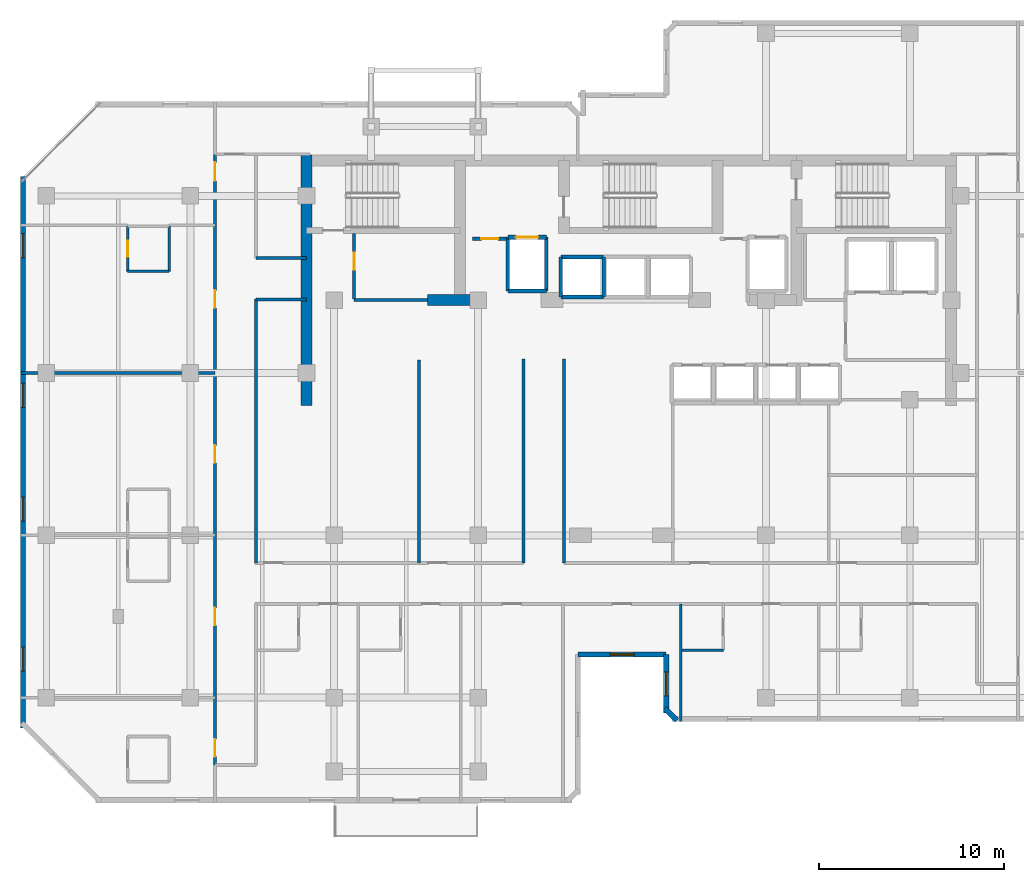
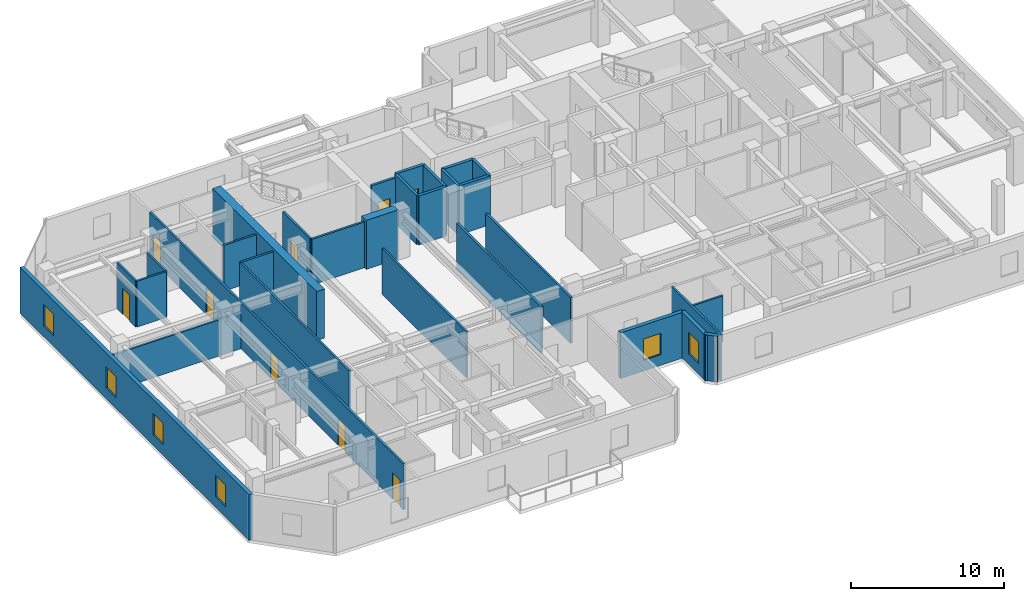
# One storey, part 5 of 11: 30 walls, 9 doors, 6 windows, 15 openings.
"""IFC4 building model written with IfcOpenShell, lengths in metres."""

from ifc_helpers import new_model, si_unit, direction, frame, frame_2d, origin, place, context, subcontext, project, spatial, rectangle, extrude, material, layer, layer_set, type_object, element, fill, save


model = new_model("IFC4")

# Units and contexts
model_context = context("Model", 3, precision=1e-05, world=origin(), true_north=direction((0.0, 1.0)))
body_context = subcontext(model_context, "Body", "Model", "MODEL_VIEW")
ifc_project = project(units=[si_unit("LENGTHUNIT", "METRE"), si_unit("AREAUNIT", "SQUARE_METRE"), si_unit("VOLUMEUNIT", "CUBIC_METRE"), si_unit("PLANEANGLEUNIT", "RADIAN"), si_unit("MASSUNIT", "GRAM", prefix="KILO")], contexts=[model_context])

# Site, building, storey
site_placement = place(None, origin())
site = spatial("IfcSite", under=ifc_project, at=site_placement, CompositionType="ELEMENT")
building_placement = place(site_placement, origin())
building = spatial("IfcBuilding", under=site, at=building_placement, Name="Kestravale Grand Hotel", CompositionType="ELEMENT")
storey_placement = place(building_placement, frame((0.0, 0.0, 208.5)))
storey = spatial("IfcBuildingStorey", under=building, at=storey_placement, Name="L52", CompositionType="ELEMENT", Elevation=208.5)

# Walls
ifc_material_1 = material(Name="Concrete f'c 50 MPa", Category="concrete")
ifc_layer_1 = layer(ifc_material_1, 0.60009765625)
ifc_layer_set_1 = layer_set([ifc_layer_1], Name="EW-CORE-600")
wall_type_1 = type_object("IfcWallType", Name="EW-CORE-600", PredefinedType="SHEAR", material=ifc_layer_set_1)
wall_1_placement = place(storey_placement, frame((21.89990234375, 27.050048828125, 0.0), z_axis=(0.0, 0.0, 1.0), x_axis=(0.0, 1.0, 0.0)))
element("IfcWall", 1, at=wall_1_placement, inside=storey, type_object=wall_type_1, Name="L52 core shear wall W1", PredefinedType="SHEAR", context=body_context, shape_type="SweptSolid", body=[
    extrude(rectangle(XDim=13.570068359375, YDim=0.60009765625, at=frame_2d((6.78515625, 0.0))), origin(), (0.0, 0.0, 1.0), 3.89990234375),
])
wall_2_placement = place(storey_placement, frame((28.449951171875, 32.75, 0.0), z_axis=(0.0, 0.0, 1.0), x_axis=(1.0, 0.0, 0.0)))
element("IfcWall", 2, at=wall_2_placement, inside=storey, type_object=wall_type_1, Name="L52 core shear wall S1", PredefinedType="SHEAR", context=body_context, shape_type="SweptSolid", body=[
    extrude(rectangle(XDim=2.400146484375, YDim=0.60009765625, at=frame_2d((1.2001953125, 0.0))), origin(), (0.0, 0.0, 1.0), 3.89990234375),
])

# Wall, opening, window
ifc_material_2 = material(Name="Precast concrete f'c 45 MPa", Category="concrete")
ifc_layer_2 = layer(ifc_material_2, 0.280029296875)
ifc_layer_set_2 = layer_set([ifc_layer_2], Name="EW-PREC-280")
wall_type_2 = type_object("IfcWallType", Name="EW-PREC-280", PredefinedType="SOLIDWALL", material=ifc_layer_set_2)
wall_3_placement = place(storey_placement, frame((36.610107421875, 13.5400390625, 0.0), z_axis=(0.0, 0.0, 1.0), x_axis=(1.0, 0.0, 0.0)))
wall_3 = element("IfcWall", 3, at=wall_3_placement, inside=storey, type_object=wall_type_2, Name="L52 fluted precast facade wall 4", PredefinedType="SOLIDWALL", context=body_context, shape_type="SweptSolid", body=[
    extrude(rectangle(XDim=4.77978515625, YDim=0.280029296875, at=frame_2d((2.389892578125, 0.0))), origin(), (0.0, 0.0, 1.0), 3.64990234375),
])
opening_1_placement = place(wall_3_placement, frame((1.739990234375, 0.0, 0.85009765625)))
opening_1 = element("IfcOpeningElement", 4, at=opening_1_placement, cuts=wall_3, Name="Opening W-GUEST-1300", PredefinedType="OPENING", context=body_context, shape_type="SweptSolid", body=[
    extrude(rectangle(XDim=1.300048828125, YDim=1.699951171875, at=frame_2d((0.64990234375, 0.85009765625))), frame((0.0, 0.14990234375, 0.0), z_axis=(0.0, -1.0, 0.0), x_axis=(1.0, 0.0, 0.0)), (0.0, 0.0, 1.0), 0.300048828125),
])
ifc_material_3 = material(Name="Insulated low-E double glazing in aluminium frame", Category="aluminium")
window_type = type_object("IfcWindowType", Name="W-GUEST-1300", PartitioningType="SINGLE_PANEL", PredefinedType="WINDOW", material=ifc_material_3)
window_1_placement = place(opening_1_placement, origin())
window_1 = element("IfcWindow", 5, at=window_1_placement, inside=storey, type_object=window_type, Name="L52 exterior window 4.1", OverallHeight=1.699951171875, OverallWidth=1.300048828125, PartitioningType="SINGLE_PANEL", PredefinedType="WINDOW", context=body_context, shape_type="SweptSolid", body=[
    extrude(rectangle(XDim=1.300048828125, YDim=1.699951171875, at=frame_2d((0.64990234375, 0.85009765625))), frame((0.0, 0.030029296875, 0.0), z_axis=(0.0, -1.0, 0.0), x_axis=(1.0, 0.0, 0.0)), (0.0, 0.0, 1.0), 0.06005859375),
])
fill(opening_1, window_1)

wall_4_placement = place(storey_placement, frame((41.389892578125, 13.5400390625, 0.0), z_axis=(0.0, 0.0, 1.0), x_axis=(0.0, -1.0, 0.0)))
wall_4 = element("IfcWall", 6, at=wall_4_placement, inside=storey, type_object=wall_type_2, Name="L52 fluted precast facade wall 5", PredefinedType="SOLIDWALL", context=body_context, shape_type="SweptSolid", body=[
    extrude(rectangle(XDim=3.179931640625, YDim=0.280029296875, at=frame_2d((1.58984375, 0.0))), origin(), (0.0, 0.0, 1.0), 3.64990234375),
])
opening_2_placement = place(wall_4_placement, frame((0.93994140625, 0.0, 0.85009765625)))
opening_2 = element("IfcOpeningElement", 7, at=opening_2_placement, cuts=wall_4, Name="Opening W-GUEST-1300", PredefinedType="OPENING", context=body_context, shape_type="SweptSolid", body=[
    extrude(rectangle(XDim=1.300048828125, YDim=1.699951171875, at=frame_2d((0.64990234375, 0.85009765625))), frame((0.0, 0.14990234375, 0.0), z_axis=(0.0, -1.0, 0.0), x_axis=(1.0, 0.0, 0.0)), (0.0, 0.0, 1.0), 0.300048828125),
])
window_2_placement = place(opening_2_placement, origin())
window_2 = element("IfcWindow", 8, at=window_2_placement, inside=storey, type_object=window_type, Name="L52 exterior window 5.1", OverallHeight=1.699951171875, OverallWidth=1.300048828125, PartitioningType="SINGLE_PANEL", PredefinedType="WINDOW", context=body_context, shape_type="SweptSolid", body=[
    extrude(rectangle(XDim=1.300048828125, YDim=1.699951171875, at=frame_2d((0.64990234375, 0.85009765625))), frame((0.0, 0.030029296875, 0.0), z_axis=(0.0, -1.0, 0.0), x_axis=(1.0, 0.0, 0.0)), (0.0, 0.0, 1.0), 0.06005859375),
])
fill(opening_2, window_2)

# Wall
wall_5_placement = place(storey_placement, frame((41.32080078125, 10.627197265625, 0.0), z_axis=(0.0, 0.0, 1.0), x_axis=(0.707106781187, -0.707106781187, 0.0)))
element("IfcWall", 9, at=wall_5_placement, inside=storey, type_object=wall_type_2, Name="L52 fluted precast facade wall 6", PredefinedType="SOLIDWALL", context=body_context, shape_type="SweptSolid", body=[
    extrude(rectangle(XDim=0.928466796875, YDim=0.280029296875, at=frame_2d((0.46435546875, 0.0))), origin(), (0.0, 0.0, 1.0), 3.64990234375),
])

# Wall, openings, windows
wall_6_placement = place(storey_placement, frame((6.5400390625, 39.43994140625, 0.0), z_axis=(0.0, 0.0, 1.0), x_axis=(0.0, -1.0, 0.0)))
wall_6 = element("IfcWall", 10, at=wall_6_placement, inside=storey, type_object=wall_type_2, Name="L52 fluted precast facade wall 19", PredefinedType="SOLIDWALL", context=body_context, shape_type="SweptSolid", body=[
    extrude(rectangle(XDim=29.8798828125, YDim=0.280029296875, at=frame_2d((14.93994140625, 0.0))), origin(), (0.0, 0.0, 1.0), 3.64990234375),
])
opening_3_placement = place(wall_6_placement, frame((3.0849609375, 0.0, 0.85009765625)))
opening_3 = element("IfcOpeningElement", 11, at=opening_3_placement, cuts=wall_6, Name="Opening W-GUEST-1300", PredefinedType="OPENING", context=body_context, shape_type="SweptSolid", body=[
    extrude(rectangle(XDim=1.300048828125, YDim=1.699951171875, at=frame_2d((0.64990234375, 0.85009765625))), frame((0.0, 0.14990234375, 0.0), z_axis=(0.0, -1.0, 0.0), x_axis=(1.0, 0.0, 0.0)), (0.0, 0.0, 1.0), 0.300048828125),
])
opening_4_placement = place(wall_6_placement, frame((11.205078125, 0.0, 0.85009765625)))
opening_4 = element("IfcOpeningElement", 12, at=opening_4_placement, cuts=wall_6, Name="Opening W-GUEST-1300", PredefinedType="OPENING", context=body_context, shape_type="SweptSolid", body=[
    extrude(rectangle(XDim=1.300048828125, YDim=1.699951171875, at=frame_2d((0.64990234375, 0.85009765625))), frame((0.0, 0.14990234375, 0.0), z_axis=(0.0, -1.0, 0.0), x_axis=(1.0, 0.0, 0.0)), (0.0, 0.0, 1.0), 0.300048828125),
])
opening_5_placement = place(wall_6_placement, frame((17.375, 0.0, 0.85009765625)))
opening_5 = element("IfcOpeningElement", 13, at=opening_5_placement, cuts=wall_6, Name="Opening W-GUEST-1300", PredefinedType="OPENING", context=body_context, shape_type="SweptSolid", body=[
    extrude(rectangle(XDim=1.300048828125, YDim=1.699951171875, at=frame_2d((0.64990234375, 0.85009765625))), frame((0.0, 0.14990234375, 0.0), z_axis=(0.0, -1.0, 0.0), x_axis=(1.0, 0.0, 0.0)), (0.0, 0.0, 1.0), 0.300048828125),
])
opening_6_placement = place(wall_6_placement, frame((25.4951171875, 0.0, 0.85009765625)))
opening_6 = element("IfcOpeningElement", 14, at=opening_6_placement, cuts=wall_6, Name="Opening W-GUEST-1300", PredefinedType="OPENING", context=body_context, shape_type="SweptSolid", body=[
    extrude(rectangle(XDim=1.300048828125, YDim=1.699951171875, at=frame_2d((0.64990234375, 0.85009765625))), frame((0.0, 0.14990234375, 0.0), z_axis=(0.0, -1.0, 0.0), x_axis=(1.0, 0.0, 0.0)), (0.0, 0.0, 1.0), 0.300048828125),
])
window_3_placement = place(opening_3_placement, origin())
window_3 = element("IfcWindow", 15, at=window_3_placement, inside=storey, type_object=window_type, Name="L52 exterior window 19.1", OverallHeight=1.699951171875, OverallWidth=1.300048828125, PartitioningType="SINGLE_PANEL", PredefinedType="WINDOW", context=body_context, shape_type="SweptSolid", body=[
    extrude(rectangle(XDim=1.300048828125, YDim=1.699951171875, at=frame_2d((0.64990234375, 0.85009765625))), frame((0.0, 0.030029296875, 0.0), z_axis=(0.0, -1.0, 0.0), x_axis=(1.0, 0.0, 0.0)), (0.0, 0.0, 1.0), 0.06005859375),
])
fill(opening_3, window_3)
window_4_placement = place(opening_4_placement, origin())
window_4 = element("IfcWindow", 16, at=window_4_placement, inside=storey, type_object=window_type, Name="L52 exterior window 19.2", OverallHeight=1.699951171875, OverallWidth=1.300048828125, PartitioningType="SINGLE_PANEL", PredefinedType="WINDOW", context=body_context, shape_type="SweptSolid", body=[
    extrude(rectangle(XDim=1.300048828125, YDim=1.699951171875, at=frame_2d((0.64990234375, 0.85009765625))), frame((0.0, 0.030029296875, 0.0), z_axis=(0.0, -1.0, 0.0), x_axis=(1.0, 0.0, 0.0)), (0.0, 0.0, 1.0), 0.06005859375),
])
fill(opening_4, window_4)
window_5_placement = place(opening_5_placement, origin())
window_5 = element("IfcWindow", 17, at=window_5_placement, inside=storey, type_object=window_type, Name="L52 exterior window 19.3", OverallHeight=1.699951171875, OverallWidth=1.300048828125, PartitioningType="SINGLE_PANEL", PredefinedType="WINDOW", context=body_context, shape_type="SweptSolid", body=[
    extrude(rectangle(XDim=1.300048828125, YDim=1.699951171875, at=frame_2d((0.64990234375, 0.85009765625))), frame((0.0, 0.030029296875, 0.0), z_axis=(0.0, -1.0, 0.0), x_axis=(1.0, 0.0, 0.0)), (0.0, 0.0, 1.0), 0.06005859375),
])
fill(opening_5, window_5)
window_6_placement = place(opening_6_placement, origin())
window_6 = element("IfcWindow", 18, at=window_6_placement, inside=storey, type_object=window_type, Name="L52 exterior window 19.4", OverallHeight=1.699951171875, OverallWidth=1.300048828125, PartitioningType="SINGLE_PANEL", PredefinedType="WINDOW", context=body_context, shape_type="SweptSolid", body=[
    extrude(rectangle(XDim=1.300048828125, YDim=1.699951171875, at=frame_2d((0.64990234375, 0.85009765625))), frame((0.0, 0.030029296875, 0.0), z_axis=(0.0, -1.0, 0.0), x_axis=(1.0, 0.0, 0.0)), (0.0, 0.0, 1.0), 0.06005859375),
])
fill(opening_6, window_6)

# Wall, opening, door
ifc_material_4 = material(Name="Acoustic fire-rated gypsum board partition", Category="other")
ifc_layer_3 = layer(ifc_material_4, 0.159912109375)
ifc_layer_set_3 = layer_set([ifc_layer_3], Name="IW-CORR-160")
wall_type_3 = type_object("IfcWallType", Name="IW-CORR-160", PredefinedType="PARTITIONING", material=ifc_layer_set_3)
wall_7_placement = place(storey_placement, frame((24.47998046875, 32.800048828125, 0.0), z_axis=(0.0, 0.0, 1.0), x_axis=(0.0, 1.0, 0.0)))
wall_7 = element("IfcWall", 19, at=wall_7_placement, inside=storey, type_object=wall_type_3, Name="L52 west core vestibule wall", PredefinedType="PARTITIONING", context=body_context, shape_type="SweptSolid", body=[
    extrude(rectangle(XDim=3.570068359375, YDim=0.159912109375, at=frame_2d((1.78515625, 0.0))), origin(), (0.0, 0.0, 1.0), 3.64990234375),
])
opening_7_placement = place(wall_7_placement, frame((1.603515625, 0.0, 0.0)))
opening_7 = element("IfcOpeningElement", 20, at=opening_7_placement, cuts=wall_7, Name="Opening D-SH-900", PredefinedType="OPENING", context=body_context, shape_type="SweptSolid", body=[
    extrude(rectangle(XDim=0.89990234375, YDim=2.10009765625, at=frame_2d((0.449951171875, 1.050048828125))), frame((0.0, 0.08984375, 0.0), z_axis=(0.0, -1.0, 0.0), x_axis=(1.0, 0.0, 0.0)), (0.0, 0.0, 1.0), 0.179931640625),
])
ifc_material_5 = material(Name="Galvanised 90-minute shaft and service fire door", Category="steel")
door_type_1 = type_object("IfcDoorType", Name="D-SH-900", OperationType="NOTDEFINED", PredefinedType="DOOR", material=ifc_material_5)
door_1_placement = place(opening_7_placement, origin())
door_1 = element("IfcDoor", 21, at=door_1_placement, inside=storey, type_object=door_type_1, Name="D-L52-HK", OperationType="SINGLE_SWING_RIGHT", OverallHeight=2.10009765625, OverallWidth=0.89990234375, PredefinedType="DOOR", context=body_context, shape_type="SweptSolid", body=[
    extrude(rectangle(XDim=0.89990234375, YDim=2.10009765625, at=frame_2d((0.449951171875, 1.050048828125))), frame((0.0, 0.02490234375, 0.0), z_axis=(0.0, -1.0, 0.0), x_axis=(1.0, 0.0, 0.0)), (0.0, 0.0, 1.0), 0.050048828125),
])
fill(opening_7, door_1)

# Walls
wall_8_placement = place(storey_placement, frame((24.47998046875, 32.75, 0.0), z_axis=(0.0, 0.0, 1.0), x_axis=(1.0, 0.0, 0.0)))
element("IfcWall", 22, at=wall_8_placement, inside=storey, type_object=wall_type_3, Name="W-L52-CWS", PredefinedType="PARTITIONING", context=body_context, shape_type="SweptSolid", body=[
    extrude(rectangle(XDim=3.969970703125, YDim=0.159912109375, at=frame_2d((1.98486328125, 0.0))), origin(), (0.0, 0.0, 1.0), 3.64990234375),
])
for number, where, z_axis, x_axis, name in (
    (23, (33.64990234375, 18.510009765625, 0.0), (0.0, 0.0, 1.0), (0.0, 1.0, 0.0), "W-L52-TRUNK-W"),
    (24, (35.85009765625, 18.510009765625, 0.0), (0.0, 0.0, 1.0), (0.0, 1.0, 0.0), "W-L52-TRUNK-E"),
):
    element("IfcWall", number, at=place(storey_placement, frame(where, z_axis=z_axis, x_axis=x_axis)), inside=storey, type_object=wall_type_3, Name=name, PredefinedType="PARTITIONING", context=body_context, shape_type="SweptSolid", body=[
        extrude(rectangle(XDim=11.0400390625, YDim=0.159912109375, at=frame_2d((5.52001953125, 0.0))), origin(), (0.0, 0.0, 1.0), 3.64990234375),
    ])

# Wall, openings, doors
wall_9_placement = place(storey_placement, frame((16.93994140625, 7.550048828125, 0.0), z_axis=(0.0, 0.0, 1.0), x_axis=(0.0, 1.0, 0.0)))
wall_9 = element("IfcWall", 25, at=wall_9_placement, inside=storey, type_object=wall_type_3, Name="W-L52-SW-W", PredefinedType="PARTITIONING", context=body_context, shape_type="SweptSolid", body=[
    extrude(rectangle(XDim=33.099853515625, YDim=0.159912109375, at=frame_2d((16.5498046875, 0.0))), origin(), (0.0, 0.0, 1.0), 3.64990234375),
])
opening_8_placement = place(wall_9_placement, frame((0.4599609375, 0.0, 0.0)))
opening_8 = element("IfcOpeningElement", 26, at=opening_8_placement, cuts=wall_9, Name="Opening D-GUEST-950", PredefinedType="OPENING", context=body_context, shape_type="SweptSolid", body=[
    extrude(rectangle(XDim=0.949951171875, YDim=2.10009765625, at=frame_2d((0.47509765625, 1.050048828125))), frame((0.0, 0.08984375, 0.0), z_axis=(0.0, -1.0, 0.0), x_axis=(1.0, 0.0, 0.0)), (0.0, 0.0, 1.0), 0.179931640625),
])
opening_9_placement = place(wall_9_placement, frame((7.574951171875, 0.0, 0.0)))
opening_9 = element("IfcOpeningElement", 27, at=opening_9_placement, cuts=wall_9, Name="Opening D-GUEST-950", PredefinedType="OPENING", context=body_context, shape_type="SweptSolid", body=[
    extrude(rectangle(XDim=0.949951171875, YDim=2.10009765625, at=frame_2d((0.47509765625, 1.050048828125))), frame((0.0, 0.08984375, 0.0), z_axis=(0.0, -1.0, 0.0), x_axis=(1.0, 0.0, 0.0)), (0.0, 0.0, 1.0), 0.179931640625),
])
opening_10_placement = place(wall_9_placement, frame((16.375, 0.0, 0.0)))
opening_10 = element("IfcOpeningElement", 28, at=opening_10_placement, cuts=wall_9, Name="Opening D-GUEST-950", PredefinedType="OPENING", context=body_context, shape_type="SweptSolid", body=[
    extrude(rectangle(XDim=0.949951171875, YDim=2.10009765625, at=frame_2d((0.47509765625, 1.050048828125))), frame((0.0, 0.08984375, 0.0), z_axis=(0.0, -1.0, 0.0), x_axis=(1.0, 0.0, 0.0)), (0.0, 0.0, 1.0), 0.179931640625),
])
opening_11_placement = place(wall_9_placement, frame((24.77490234375, 0.0, 0.0)))
opening_11 = element("IfcOpeningElement", 29, at=opening_11_placement, cuts=wall_9, Name="Opening D-GUEST-950", PredefinedType="OPENING", context=body_context, shape_type="SweptSolid", body=[
    extrude(rectangle(XDim=0.949951171875, YDim=2.10009765625, at=frame_2d((0.47509765625, 1.050048828125))), frame((0.0, 0.08984375, 0.0), z_axis=(0.0, -1.0, 0.0), x_axis=(1.0, 0.0, 0.0)), (0.0, 0.0, 1.0), 0.179931640625),
])
opening_12_placement = place(wall_9_placement, frame((31.659912109375, 0.0, 0.0)))
opening_12 = element("IfcOpeningElement", 30, at=opening_12_placement, cuts=wall_9, Name="Opening D-GUEST-1000", PredefinedType="OPENING", context=body_context, shape_type="SweptSolid", body=[
    extrude(rectangle(XDim=1.0, YDim=2.14990234375, at=frame_2d((0.5, 1.074951171875))), frame((0.0, 0.08984375, 0.0), z_axis=(0.0, -1.0, 0.0), x_axis=(1.0, 0.0, 0.0)), (0.0, 0.0, 1.0), 0.179931640625),
])
ifc_material_6 = material(Name="Accessible walnut veneer hotel entrance fire door", Category="wood")
door_type_2 = type_object("IfcDoorType", Name="D-GUEST-1000", OperationType="NOTDEFINED", PredefinedType="DOOR", material=ifc_material_6)
door_2_placement = place(opening_12_placement, origin())
door_2 = element("IfcDoor", 31, at=door_2_placement, inside=storey, type_object=door_type_2, Name="D-L52-AMWW", OperationType="SINGLE_SWING_RIGHT", OverallHeight=2.14990234375, OverallWidth=1.0, PredefinedType="DOOR", context=body_context, shape_type="SweptSolid", body=[
    extrude(rectangle(XDim=1.0, YDim=2.14990234375, at=frame_2d((0.5, 1.074951171875))), frame((0.0, 0.02490234375, 0.0), z_axis=(0.0, -1.0, 0.0), x_axis=(1.0, 0.0, 0.0)), (0.0, 0.0, 1.0), 0.050048828125),
])
fill(opening_12, door_2)
ifc_material_7 = material(Name="Walnut veneer hotel guestroom entrance fire door", Category="wood")
door_type_3 = type_object("IfcDoorType", Name="D-GUEST-950", OperationType="NOTDEFINED", PredefinedType="DOOR", material=ifc_material_7)
door_3_placement = place(opening_8_placement, origin())
door_3 = element("IfcDoor", 32, at=door_3_placement, inside=storey, type_object=door_type_3, Name="D-L52-U05-ENT", OperationType="SINGLE_SWING_LEFT", OverallHeight=2.10009765625, OverallWidth=0.949951171875, PredefinedType="DOOR", context=body_context, shape_type="SweptSolid", body=[
    extrude(rectangle(XDim=0.949951171875, YDim=2.10009765625, at=frame_2d((0.47509765625, 1.050048828125))), frame((0.0, 0.02490234375, 0.0), z_axis=(0.0, -1.0, 0.0), x_axis=(1.0, 0.0, 0.0)), (0.0, 0.0, 1.0), 0.050048828125),
])
fill(opening_8, door_3)
door_4_placement = place(opening_9_placement, origin())
door_4 = element("IfcDoor", 33, at=door_4_placement, inside=storey, type_object=door_type_3, Name="D-L52-U06-ENT", OperationType="SINGLE_SWING_LEFT", OverallHeight=2.10009765625, OverallWidth=0.949951171875, PredefinedType="DOOR", context=body_context, shape_type="SweptSolid", body=[
    extrude(rectangle(XDim=0.949951171875, YDim=2.10009765625, at=frame_2d((0.47509765625, 1.050048828125))), frame((0.0, 0.02490234375, 0.0), z_axis=(0.0, -1.0, 0.0), x_axis=(1.0, 0.0, 0.0)), (0.0, 0.0, 1.0), 0.050048828125),
])
fill(opening_9, door_4)
door_5_placement = place(opening_10_placement, origin())
door_5 = element("IfcDoor", 34, at=door_5_placement, inside=storey, type_object=door_type_3, Name="D-L52-U07-ENT", OperationType="SINGLE_SWING_LEFT", OverallHeight=2.10009765625, OverallWidth=0.949951171875, PredefinedType="DOOR", context=body_context, shape_type="SweptSolid", body=[
    extrude(rectangle(XDim=0.949951171875, YDim=2.10009765625, at=frame_2d((0.47509765625, 1.050048828125))), frame((0.0, 0.02490234375, 0.0), z_axis=(0.0, -1.0, 0.0), x_axis=(1.0, 0.0, 0.0)), (0.0, 0.0, 1.0), 0.050048828125),
])
fill(opening_10, door_5)
door_6_placement = place(opening_11_placement, origin())
door_6 = element("IfcDoor", 35, at=door_6_placement, inside=storey, type_object=door_type_3, Name="D-L52-U08-ENT", OperationType="SINGLE_SWING_LEFT", OverallHeight=2.10009765625, OverallWidth=0.949951171875, PredefinedType="DOOR", context=body_context, shape_type="SweptSolid", body=[
    extrude(rectangle(XDim=0.949951171875, YDim=2.10009765625, at=frame_2d((0.47509765625, 1.050048828125))), frame((0.0, 0.02490234375, 0.0), z_axis=(0.0, -1.0, 0.0), x_axis=(1.0, 0.0, 0.0)), (0.0, 0.0, 1.0), 0.050048828125),
])
fill(opening_11, door_6)

# Walls
for number, where, z_axis, x_axis, name in (
    (36, (19.159912109375, 35.02001953125, 0.0), (0.0, 0.0, 1.0), (1.0, 0.0, 0.0), "W-L52-SW-CN"),
    (37, (19.159912109375, 32.780029296875, 0.0), (0.0, 0.0, 1.0), (1.0, 0.0, 0.0), "W-L52-SW-CS"),
):
    element("IfcWall", number, at=place(storey_placement, frame(where, z_axis=z_axis, x_axis=x_axis)), inside=storey, type_object=wall_type_3, Name=name, PredefinedType="PARTITIONING", context=body_context, shape_type="SweptSolid", body=[
        extrude(rectangle(XDim=2.739990234375, YDim=0.159912109375, at=frame_2d((1.3701171875, 0.0))), origin(), (0.0, 0.0, 1.0), 3.64990234375),
    ])

# Wall, opening, door
ifc_material_8 = material(Name="Fire-rated gypsum board on steel studs with mineral wool", Category="steel")
ifc_layer_4 = layer(ifc_material_8, 0.179931640625)
ifc_layer_set_4 = layer_set([ifc_layer_4], Name="IW-FSAE-180")
wall_type_4 = type_object("IfcWallType", Name="IW-FSAE-180", PredefinedType="PARTITIONING", material=ifc_layer_set_4)
wall_10_placement = place(storey_placement, frame((30.89990234375, 36.080078125, 0.0), z_axis=(0.0, 0.0, 1.0), x_axis=(1.0, 0.0, 0.0)))
wall_10 = element("IfcWall", 38, at=wall_10_placement, inside=storey, type_object=wall_type_4, Name="L52 FSAE Lobby 1 smoke barrier", PredefinedType="PARTITIONING", context=body_context, shape_type="SweptSolid", body=[
    extrude(rectangle(XDim=1.85009765625, YDim=0.179931640625, at=frame_2d((0.925048828125, 0.0))), origin(), (0.0, 0.0, 1.0), 3.64990234375),
])
opening_13_placement = place(wall_10_placement, frame((0.47998046875, 0.0, 0.0)))
opening_13 = element("IfcOpeningElement", 39, at=opening_13_placement, cuts=wall_10, Name="Opening D-FSAE-1000", PredefinedType="OPENING", context=body_context, shape_type="SweptSolid", body=[
    extrude(rectangle(XDim=0.89990234375, YDim=2.14990234375, at=frame_2d((0.449951171875, 1.074951171875))), frame((0.0, 0.099853515625, 0.0), z_axis=(0.0, -1.0, 0.0), x_axis=(1.0, 0.0, 0.0)), (0.0, 0.0, 1.0), 0.199951171875),
])
ifc_material_9 = material(Name="Smoke-gasketed FSAE lobby fire door", Category="steel")
door_type_4 = type_object("IfcDoorType", Name="D-FSAE-1000", OperationType="NOTDEFINED", PredefinedType="DOOR", material=ifc_material_9)
door_7_placement = place(opening_13_placement, origin())
door_7 = element("IfcDoor", 40, at=door_7_placement, inside=storey, type_object=door_type_4, Name="L52 FSAE Lobby 1 fire door", OperationType="SINGLE_SWING_RIGHT", OverallHeight=2.14990234375, OverallWidth=0.89990234375, PredefinedType="DOOR", context=body_context, shape_type="SweptSolid", body=[
    extrude(rectangle(XDim=0.89990234375, YDim=2.14990234375, at=frame_2d((0.449951171875, 1.074951171875))), frame((0.0, 0.02490234375, 0.0), z_axis=(0.0, -1.0, 0.0), x_axis=(1.0, 0.0, 0.0)), (0.0, 0.0, 1.0), 0.050048828125),
])
fill(opening_13, door_7)

# Wall
ifc_material_10 = material(Name="Moisture-resistant tile-backer plumbing chase wall", Category="other")
ifc_layer_5 = layer(ifc_material_10, 0.139892578125)
ifc_layer_set_5 = layer_set([ifc_layer_5], Name="IW-PLB-140")
wall_type_5 = type_object("IfcWallType", Name="IW-PLB-140", PredefinedType="PLUMBINGWALL", material=ifc_layer_set_5)
wall_11_placement = place(storey_placement, frame((42.239990234375, 13.780029296875, 0.0), z_axis=(0.0, 0.0, 1.0), x_axis=(1.0, 0.0, 0.0)))
element("IfcWall", 41, at=wall_11_placement, inside=storey, type_object=wall_type_5, Name="W-L52-U03-BS", PredefinedType="PLUMBINGWALL", context=body_context, shape_type="SweptSolid", body=[
    extrude(rectangle(XDim=2.25, YDim=0.139892578125, at=frame_2d((1.125, 0.0))), origin(), (0.0, 0.0, 1.0), 3.64990234375),
])

# Wall, opening, door
wall_12_placement = place(storey_placement, frame((12.199951171875, 34.31005859375, 0.0), z_axis=(0.0, 0.0, 1.0), x_axis=(0.0, 1.0, 0.0)))
wall_12 = element("IfcWall", 42, at=wall_12_placement, inside=storey, type_object=wall_type_5, Name="W-L52-U08-BW", PredefinedType="PLUMBINGWALL", context=body_context, shape_type="SweptSolid", body=[
    extrude(rectangle(XDim=2.449951171875, YDim=0.139892578125, at=frame_2d((1.22509765625, 0.0))), origin(), (0.0, 0.0, 1.0), 3.64990234375),
])
opening_14_placement = place(wall_12_placement, frame((0.784912109375, 0.0, 0.0)))
opening_14 = element("IfcOpeningElement", 43, at=opening_14_placement, cuts=wall_12, Name="Opening D-BATH-880", PredefinedType="OPENING", context=body_context, shape_type="SweptSolid", body=[
    extrude(rectangle(XDim=0.8798828125, YDim=2.050048828125, at=frame_2d((0.43994140625, 1.02490234375))), frame((0.0, 0.079833984375, 0.0), z_axis=(0.0, -1.0, 0.0), x_axis=(1.0, 0.0, 0.0)), (0.0, 0.0, 1.0), 0.159912109375),
])
ifc_material_11 = material(Name="Moisture-sealed walnut en-suite bathroom door", Category="wood")
door_type_5 = type_object("IfcDoorType", Name="D-BATH-880", OperationType="NOTDEFINED", PredefinedType="DOOR", material=ifc_material_11)
door_8_placement = place(opening_14_placement, origin())
door_8 = element("IfcDoor", 44, at=door_8_placement, inside=storey, type_object=door_type_5, Name="D-L52-U08-BATH", OperationType="SINGLE_SWING_RIGHT", OverallHeight=2.050048828125, OverallWidth=0.8798828125, PredefinedType="DOOR", context=body_context, shape_type="SweptSolid", body=[
    extrude(rectangle(XDim=0.8798828125, YDim=2.050048828125, at=frame_2d((0.43994140625, 1.02490234375))), frame((0.0, 0.02490234375, 0.0), z_axis=(0.0, -1.0, 0.0), x_axis=(1.0, 0.0, 0.0)), (0.0, 0.0, 1.0), 0.050048828125),
])
fill(opening_14, door_8)

# Walls
wall_13_placement = place(storey_placement, frame((14.449951171875, 34.31005859375, 0.0), z_axis=(0.0, 0.0, 1.0), x_axis=(0.0, 1.0, 0.0)))
element("IfcWall", 45, at=wall_13_placement, inside=storey, type_object=wall_type_5, Name="W-L52-U08-BE", PredefinedType="PLUMBINGWALL", context=body_context, shape_type="SweptSolid", body=[
    extrude(rectangle(XDim=2.449951171875, YDim=0.139892578125, at=frame_2d((1.22509765625, 0.0))), origin(), (0.0, 0.0, 1.0), 3.64990234375),
])
wall_14_placement = place(storey_placement, frame((12.199951171875, 34.31005859375, 0.0), z_axis=(0.0, 0.0, 1.0), x_axis=(1.0, 0.0, 0.0)))
element("IfcWall", 46, at=wall_14_placement, inside=storey, type_object=wall_type_5, Name="W-L52-U08-BS", PredefinedType="PLUMBINGWALL", context=body_context, shape_type="SweptSolid", body=[
    extrude(rectangle(XDim=2.25, YDim=0.139892578125, at=frame_2d((1.125, 0.0))), origin(), (0.0, 0.0, 1.0), 3.64990234375),
])
ifc_material_12 = material(Name="Concrete f'c 45 MPa", Category="concrete")
ifc_layer_6 = layer(ifc_material_12, 0.199951171875)
ifc_layer_set_6 = layer_set([ifc_layer_6], Name="IW-SHAFT-200")
wall_type_6 = type_object("IfcWallType", Name="IW-SHAFT-200", PredefinedType="SHEAR", material=ifc_layer_set_6)
for number, where, z_axis, x_axis, name in (
    (47, (35.679931640625, 32.919921875, 0.0), (0.0, 0.0, 1.0), (0.0, 1.0, 0.0), "L52 PL-X1 west shaft wall"),
    (48, (38.0, 32.919921875, 0.0), (0.0, 0.0, 1.0), (0.0, 1.0, 0.0), "L52 PL-X2 west shaft wall"),
):
    element("IfcWall", number, at=place(storey_placement, frame(where, z_axis=z_axis, x_axis=x_axis)), inside=storey, type_object=wall_type_6, Name=name, PredefinedType="SHEAR", context=body_context, shape_type="SweptSolid", body=[
        extrude(rectangle(XDim=2.16015625, YDim=0.199951171875, at=frame_2d((1.080078125, 0.0))), origin(), (0.0, 0.0, 1.0), 3.89990234375),
    ])
for number, where, z_axis, x_axis, name in (
    (49, (32.804931640625, 33.2451171875, 0.0), (0.0, 0.0, 1.0), (0.0, 1.0, 0.0), "L52 FL-1 west shaft wall"),
    (50, (34.89501953125, 33.2451171875, 0.0), (0.0, 0.0, 1.0), (0.0, 1.0, 0.0), "L52 FL-1 east shaft wall"),
):
    element("IfcWall", number, at=place(storey_placement, frame(where, z_axis=z_axis, x_axis=x_axis)), inside=storey, type_object=wall_type_6, Name=name, PredefinedType="SHEAR", context=body_context, shape_type="SweptSolid", body=[
        extrude(rectangle(XDim=2.909912109375, YDim=0.199951171875, at=frame_2d((1.455078125, 0.0))), origin(), (0.0, 0.0, 1.0), 3.89990234375),
    ])
ifc_material_13 = material(Name="Concrete f'c 45 MPa", Category="concrete")
ifc_layer_7 = layer(ifc_material_13, 0.219970703125)
ifc_layer_set_7 = layer_set([ifc_layer_7], Name="IW-SHAFT-220")
wall_type_7 = type_object("IfcWallType", Name="IW-SHAFT-220", PredefinedType="SHEAR", material=ifc_layer_set_7)
for number, where, z_axis, x_axis, name in (
    (51, (35.679931640625, 35.080078125, 0.0), (0.0, 0.0, 1.0), (1.0, 0.0, 0.0), "L52 PL-X1 north shaft wall"),
    (52, (35.679931640625, 32.919921875, 0.0), (0.0, 0.0, 1.0), (1.0, 0.0, 0.0), "L52 PL-X1 south shaft wall"),
):
    element("IfcWall", number, at=place(storey_placement, frame(where, z_axis=z_axis, x_axis=x_axis)), inside=storey, type_object=wall_type_7, Name=name, PredefinedType="SHEAR", context=body_context, shape_type="SweptSolid", body=[
        extrude(rectangle(XDim=2.320068359375, YDim=0.219970703125, at=frame_2d((1.16015625, 0.0))), origin(), (0.0, 0.0, 1.0), 3.89990234375),
    ])

# Wall, opening, door
wall_15_placement = place(storey_placement, frame((32.804931640625, 36.155029296875, 0.0), z_axis=(0.0, 0.0, 1.0), x_axis=(1.0, 0.0, 0.0)))
wall_15 = element("IfcWall", 53, at=wall_15_placement, inside=storey, type_object=wall_type_7, Name="L52 FL-1 north shaft wall", PredefinedType="SHEAR", context=body_context, shape_type="SweptSolid", body=[
    extrude(rectangle(XDim=2.090087890625, YDim=0.219970703125, at=frame_2d((1.044921875, 0.0))), origin(), (0.0, 0.0, 1.0), 3.89990234375),
])
opening_15_placement = place(wall_15_placement, frame((0.445068359375, 0.0, 0.0)))
opening_15 = element("IfcOpeningElement", 54, at=opening_15_placement, cuts=wall_15, Name="Opening LD-FSAE-1200", PredefinedType="OPENING", context=body_context, shape_type="SweptSolid", body=[
    extrude(rectangle(XDim=1.199951171875, YDim=2.14990234375, at=frame_2d((0.60009765625, 1.074951171875))), frame((0.0, 0.119873046875, 0.0), z_axis=(0.0, -1.0, 0.0), x_axis=(1.0, 0.0, 0.0)), (0.0, 0.0, 1.0), 0.239990234375),
])
ifc_material_14 = material(Name="Stainless fire-service sliding elevator landing door", Category="steel")
door_type_6 = type_object("IfcDoorType", Name="LD-FSAE-1200", OperationType="NOTDEFINED", PredefinedType="DOOR", material=ifc_material_14)
door_9_placement = place(opening_15_placement, origin())
door_9 = element("IfcDoor", 55, at=door_9_placement, inside=storey, type_object=door_type_6, Name="L52 FL-1 elevator landing sliding door", OperationType="DOUBLE_DOOR_SLIDING", OverallHeight=2.14990234375, OverallWidth=1.199951171875, PredefinedType="DOOR", context=body_context, shape_type="SweptSolid", body=[
    extrude(rectangle(XDim=1.199951171875, YDim=2.14990234375, at=frame_2d((0.60009765625, 1.074951171875))), frame((0.0, 0.02490234375, 0.0), z_axis=(0.0, -1.0, 0.0), x_axis=(1.0, 0.0, 0.0)), (0.0, 0.0, 1.0), 0.050048828125),
])
fill(opening_15, door_9)

# Walls
wall_16_placement = place(storey_placement, frame((32.804931640625, 33.2451171875, 0.0), z_axis=(0.0, 0.0, 1.0), x_axis=(1.0, 0.0, 0.0)))
element("IfcWall", 56, at=wall_16_placement, inside=storey, type_object=wall_type_7, Name="L52 FL-1 south shaft wall", PredefinedType="SHEAR", context=body_context, shape_type="SweptSolid", body=[
    extrude(rectangle(XDim=2.090087890625, YDim=0.219970703125, at=frame_2d((1.044921875, 0.0))), origin(), (0.0, 0.0, 1.0), 3.89990234375),
])
ifc_material_15 = material(Name="Double-stud STC 52 acoustic demising partition", Category="other")
ifc_layer_8 = layer(ifc_material_15, 0.14990234375)
ifc_layer_set_8 = layer_set([ifc_layer_8], Name="IW-UNIT-150")
wall_type_8 = type_object("IfcWallType", Name="IW-UNIT-150", PredefinedType="PARTITIONING", material=ifc_layer_set_8)
wall_17_placement = place(storey_placement, frame((19.159912109375, 18.510009765625, 0.0), z_axis=(0.0, 0.0, 1.0), x_axis=(0.0, 1.0, 0.0)))
element("IfcWall", 57, at=wall_17_placement, inside=storey, type_object=wall_type_8, Name="W-L52-RCLW-W", PredefinedType="PARTITIONING", context=body_context, shape_type="SweptSolid", body=[
    extrude(rectangle(XDim=14.2900390625, YDim=0.14990234375, at=frame_2d((7.14501953125, 0.0))), origin(), (0.0, 0.0, 1.0), 3.64990234375),
])
wall_18_placement = place(storey_placement, frame((28.0, 18.510009765625, 0.0), z_axis=(0.0, 0.0, 1.0), x_axis=(0.0, 1.0, 0.0)))
element("IfcWall", 58, at=wall_18_placement, inside=storey, type_object=wall_type_8, Name="W-L52-RCLW-M", PredefinedType="PARTITIONING", context=body_context, shape_type="SweptSolid", body=[
    extrude(rectangle(XDim=10.989990234375, YDim=0.14990234375, at=frame_2d((5.4951171875, 0.0))), origin(), (0.0, 0.0, 1.0), 3.64990234375),
])
wall_19_placement = place(storey_placement, frame((42.179931640625, 9.919921875, 0.0), z_axis=(0.0, 0.0, 1.0), x_axis=(0.0, 1.0, 0.0)))
element("IfcWall", 59, at=wall_19_placement, inside=storey, type_object=wall_type_8, Name="W-L52-ES-1", PredefinedType="PARTITIONING", context=body_context, shape_type="SweptSolid", body=[
    extrude(rectangle(XDim=6.3701171875, YDim=0.14990234375, at=frame_2d((3.18505859375, 0.0))), origin(), (0.0, 0.0, 1.0), 3.64990234375),
])
wall_20_placement = place(storey_placement, frame((6.419921875, 28.800048828125, 0.0), z_axis=(0.0, 0.0, 1.0), x_axis=(1.0, 0.0, 0.0)))
element("IfcWall", 60, at=wall_20_placement, inside=storey, type_object=wall_type_8, Name="W-L52-WW-3", PredefinedType="PARTITIONING", context=body_context, shape_type="SweptSolid", body=[
    extrude(rectangle(XDim=10.52001953125, YDim=0.14990234375, at=frame_2d((5.260009765625, 0.0))), origin(), (0.0, 0.0, 1.0), 2.8779296875),
])

save(model, "model.ifc")
